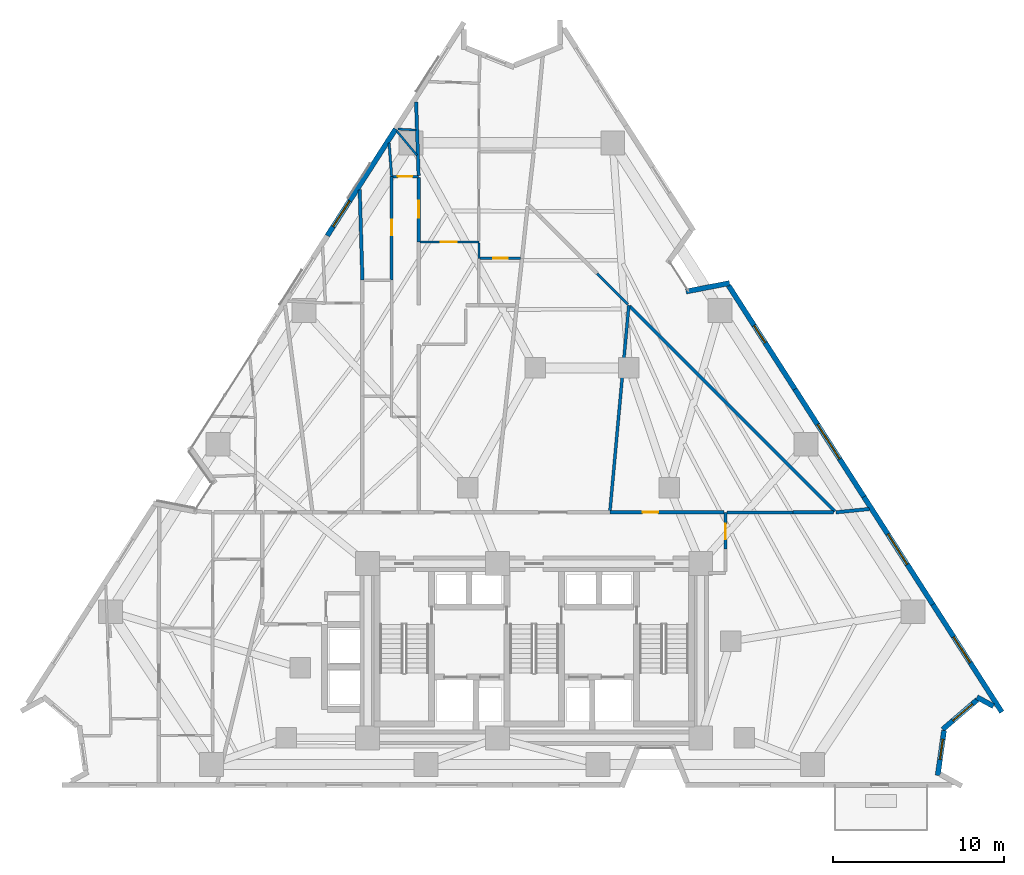
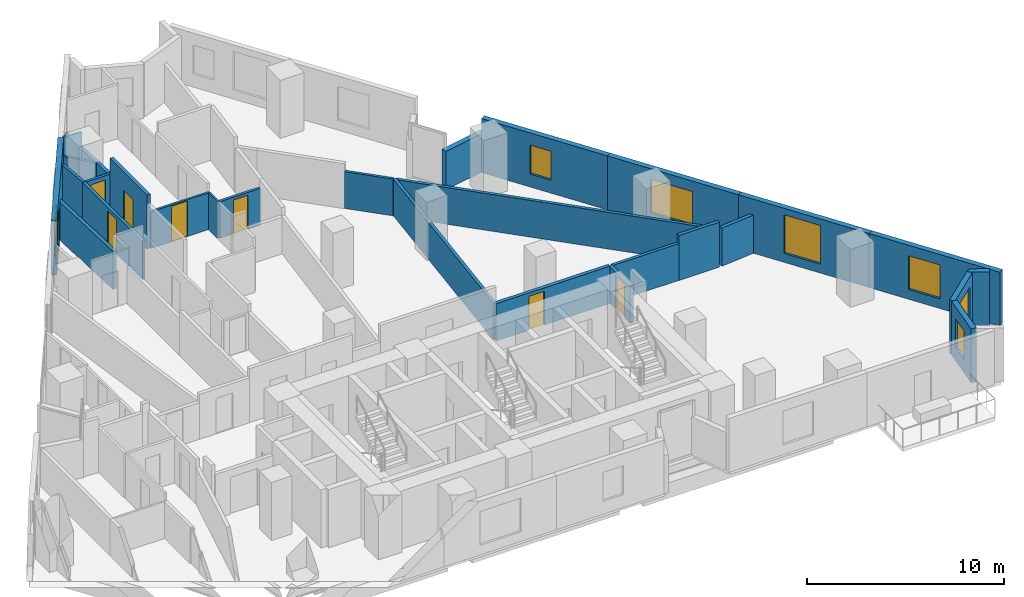
# One storey, part 9 of 13: 28 walls, 7 doors, 7 windows, 14 openings.
"""IFC4 building model written with IfcOpenShell, lengths in metres."""

from ifc_helpers import new_model, si_unit, direction, frame, frame_2d, origin, place, context, subcontext, project, spatial, rectangle, extrude, material, layer, layer_set, type_object, element, fill, save


model = new_model("IFC4")

# Units and contexts
model_context = context("Model", 3, precision=1e-05, world=origin(), true_north=direction((0.0, 1.0)))
body_context = subcontext(model_context, "Body", "Model", "MODEL_VIEW")
ifc_project = project(units=[si_unit("LENGTHUNIT", "METRE"), si_unit("AREAUNIT", "SQUARE_METRE"), si_unit("VOLUMEUNIT", "CUBIC_METRE"), si_unit("PLANEANGLEUNIT", "RADIAN"), si_unit("MASSUNIT", "GRAM", prefix="KILO")], contexts=[model_context])

# Site, building, storey
site_placement = place(None, origin())
site = spatial("IfcSite", under=ifc_project, at=site_placement, CompositionType="ELEMENT")
building_placement = place(site_placement, origin())
building = spatial("IfcBuilding", under=site, at=building_placement, Name="Almagre Mirador Tower", CompositionType="ELEMENT")
storey_placement = place(building_placement, frame((0.0, 0.0, 42.60009765625)))
storey = spatial("IfcBuildingStorey", under=building, at=storey_placement, Name="L09", CompositionType="ELEMENT", Elevation=42.60009765625)

# Wall, opening, window
ifc_material_1 = material(Name="Precast concrete C50/60", Category="concrete")
ifc_layer_1 = layer(ifc_material_1, 0.300048828125)
ifc_layer_set_1 = layer_set([ifc_layer_1], Name="Precast concrete C50/60")
wall_type_1 = type_object("IfcWallType", Name="WAL-EXT-300", PredefinedType="SOLIDWALL", material=ifc_layer_set_1)
wall_1_placement = place(storey_placement, frame((25.196533203125, 33.94140625, 0.0), z_axis=(0.0, 0.0, 1.0), x_axis=(0.539535005594, 0.841963168873, 0.0)))
wall_1 = element("IfcWall", 1, at=wall_1_placement, inside=storey, type_object=wall_type_1, Name="L09 expressed almagre precast frame wall 04", PredefinedType="SOLIDWALL", context=body_context, shape_type="SweptSolid", body=[
    extrude(rectangle(XDim=7.41162109375, YDim=0.300048828125, at=frame_2d((3.705810546875, 0.0))), origin(), (0.0, 0.0, 1.0), 3.349853515625),
])
opening_1_placement = place(wall_1_placement, frame((0.625, 0.0, 0.60009765625)))
opening_1 = element("IfcOpeningElement", 2, at=opening_1_placement, cuts=wall_1, Name="Opening WN-01", PredefinedType="OPENING", context=body_context, shape_type="SweptSolid", body=[
    extrude(rectangle(XDim=1.800048828125, YDim=2.10009765625, at=frame_2d((0.89990234375, 1.050048828125))), frame((0.0, 0.159902, 0.0), z_axis=(0.0, -1.0, 0.0), x_axis=(1.0, 0.0, 0.0)), (0.0, 0.0, 1.0), 0.320049),
])
ifc_material_2 = material(Name="Dark solar-control laminated hurricane glass", Category="glass")
window_type_1 = type_object("IfcWindowType", Name="WIN-1800X2100", PartitioningType="DOUBLE_PANEL_VERTICAL", PredefinedType="WINDOW", material=ifc_material_2)
window_1_placement = place(opening_1_placement, origin())
window_1 = element("IfcWindow", 3, at=window_1_placement, inside=storey, type_object=window_type_1, Name="L09 recessed hurricane window L09-UH-KT", OverallHeight=2.10009765625, OverallWidth=1.800048828125, PartitioningType="SINGLE_PANEL", PredefinedType="WINDOW", context=body_context, shape_type="SweptSolid", body=[
    extrude(rectangle(XDim=1.800048828125, YDim=2.10009765625, at=frame_2d((0.89990234375, 1.050048828125))), frame((0.0, 0.030029296875, 0.0), z_axis=(0.0, -1.0, 0.0), x_axis=(1.0, 0.0, 0.0)), (0.0, 0.0, 1.0), 0.06005859375),
])
fill(opening_1, window_1)

# Wall
wall_2_placement = place(storey_placement, frame((46.189697265625, 30.67236328125, 0.0), z_axis=(0.0, 0.0, 1.0), x_axis=(0.981760587394, 0.190121406053, 0.0)))
element("IfcWall", 4, at=wall_2_placement, inside=storey, type_object=wall_type_1, Name="L09 expressed almagre precast frame wall 13", PredefinedType="SOLIDWALL", context=body_context, shape_type="SweptSolid", body=[
    extrude(rectangle(XDim=2.593994140625, YDim=0.300048828125, at=frame_2d((1.296875, 0.0))), origin(), (0.0, 0.0, 1.0), 2.375),
])

# Wall, opening, window
wall_3_placement = place(storey_placement, frame((48.674560546875, 31.02099609375, 0.0), z_axis=(0.0, 0.0, 1.0), x_axis=(0.539549048356, -0.841954170023, 0.0)))
wall_3 = element("IfcWall", 5, at=wall_3_placement, inside=storey, type_object=wall_type_1, Name="L09 expressed almagre precast frame wall 14", PredefinedType="SOLIDWALL", context=body_context, shape_type="SweptSolid", body=[
    extrude(rectangle(XDim=7.201416015625, YDim=0.300048828125, at=frame_2d((3.6005859375, 0.0))), origin(), (0.0, 0.0, 1.0), 3.349853515625),
])
opening_2_placement = place(wall_3_placement, frame((2.77001953125, 0.0, 0.800048828125)))
opening_2 = element("IfcOpeningElement", 6, at=opening_2_placement, cuts=wall_3, Name="Opening WN-04", PredefinedType="OPENING", context=body_context, shape_type="SweptSolid", body=[
    extrude(rectangle(XDim=1.199951171875, YDim=1.800048828125, at=frame_2d((0.60009765625, 0.89990234375))), frame((0.0, 0.159902, 0.0), z_axis=(0.0, -1.0, 0.0), x_axis=(1.0, 0.0, 0.0)), (0.0, 0.0, 1.0), 0.320049),
])
ifc_material_3 = material(Name="Dark solar-control laminated hurricane glass", Category="glass")
window_type_2 = type_object("IfcWindowType", Name="WIN-1200X1800", PartitioningType="SINGLE_PANEL", PredefinedType="WINDOW", material=ifc_material_3)
window_2_placement = place(opening_2_placement, origin())
window_2 = element("IfcWindow", 7, at=window_2_placement, inside=storey, type_object=window_type_2, Name="L09 recessed hurricane window L09-RST-M", OverallHeight=1.800048828125, OverallWidth=1.199951171875, PartitioningType="SINGLE_PANEL", PredefinedType="WINDOW", context=body_context, shape_type="SweptSolid", body=[
    extrude(rectangle(XDim=1.199951171875, YDim=1.800048828125, at=frame_2d((0.60009765625, 0.89990234375))), frame((0.0, 0.030029296875, 0.0), z_axis=(0.0, -1.0, 0.0), x_axis=(1.0, 0.0, 0.0)), (0.0, 0.0, 1.0), 0.06005859375),
])
fill(opening_2, window_2)

wall_4_placement = place(storey_placement, frame((52.56005859375, 24.957763671875, 0.0), z_axis=(0.0, 0.0, 1.0), x_axis=(0.539510136354, -0.841979104712, 0.0)))
wall_4 = element("IfcWall", 8, at=wall_4_placement, inside=storey, type_object=wall_type_1, Name="L09 expressed almagre precast frame wall 15", PredefinedType="SOLIDWALL", context=body_context, shape_type="SweptSolid", body=[
    extrude(rectangle(XDim=7.4814453125, YDim=0.300048828125, at=frame_2d((3.74072265625, 0.0))), origin(), (0.0, 0.0, 1.0), 3.349853515625),
])
opening_3_placement = place(wall_4_placement, frame((2.449951171875, 0.0, 0.60009765625)))
opening_3 = element("IfcOpeningElement", 9, at=opening_3_placement, cuts=wall_4, Name="Opening WN-02", PredefinedType="OPENING", context=body_context, shape_type="SweptSolid", body=[
    extrude(rectangle(XDim=2.39990234375, YDim=2.10009765625, at=frame_2d((1.199951171875, 1.050048828125))), frame((0.0, 0.159902, 0.0), z_axis=(0.0, -1.0, 0.0), x_axis=(1.0, 0.0, 0.0)), (0.0, 0.0, 1.0), 0.320049),
])
ifc_material_4 = material(Name="Dark solar-control laminated hurricane glass", Category="glass")
window_type_3 = type_object("IfcWindowType", Name="WIN-2400X2100", PartitioningType="TRIPLE_PANEL_VERTICAL", PredefinedType="WINDOW", material=ifc_material_4)
window_3_placement = place(opening_3_placement, origin())
window_3 = element("IfcWindow", 10, at=window_3_placement, inside=storey, type_object=window_type_3, Name="L09 recessed hurricane window L09-RST-M", OverallHeight=2.10009765625, OverallWidth=2.39990234375, PartitioningType="SINGLE_PANEL", PredefinedType="WINDOW", context=body_context, shape_type="SweptSolid", body=[
    extrude(rectangle(XDim=2.39990234375, YDim=2.10009765625, at=frame_2d((1.199951171875, 1.050048828125))), frame((0.0, 0.030029296875, 0.0), z_axis=(0.0, -1.0, 0.0), x_axis=(1.0, 0.0, 0.0)), (0.0, 0.0, 1.0), 0.06005859375),
])
fill(opening_3, window_3)

wall_5_placement = place(storey_placement, frame((56.596435546875, 18.658447265625, 0.0), z_axis=(0.0, 0.0, 1.0), x_axis=(0.539548093607, -0.841954781853, 0.0)))
wall_5 = element("IfcWall", 11, at=wall_5_placement, inside=storey, type_object=wall_type_1, Name="L09 expressed almagre precast frame wall 16", PredefinedType="SOLIDWALL", context=body_context, shape_type="SweptSolid", body=[
    extrude(rectangle(XDim=7.4814453125, YDim=0.300048828125, at=frame_2d((3.74072265625, 0.0))), origin(), (0.0, 0.0, 1.0), 3.349853515625),
])
opening_4_placement = place(wall_5_placement, frame((2.60009765625, 0.0, 0.550048828125)))
opening_4 = element("IfcOpeningElement", 12, at=opening_4_placement, cuts=wall_5, Name="Opening WN-05", PredefinedType="OPENING", context=body_context, shape_type="SweptSolid", body=[
    extrude(rectangle(XDim=2.10009765625, YDim=2.39990234375, at=frame_2d((1.050048828125, 1.199951171875))), frame((0.0, 0.159902, 0.0), z_axis=(0.0, -1.0, 0.0), x_axis=(1.0, 0.0, 0.0)), (0.0, 0.0, 1.0), 0.320049),
])
ifc_material_5 = material(Name="Dark solar-control laminated hurricane glass", Category="glass")
window_type_4 = type_object("IfcWindowType", Name="WIN-2100X2400", PartitioningType="DOUBLE_PANEL_VERTICAL", PredefinedType="WINDOW", material=ifc_material_5)
window_4_placement = place(opening_4_placement, origin())
window_4 = element("IfcWindow", 13, at=window_4_placement, inside=storey, type_object=window_type_4, Name="L09 recessed hurricane window L09-UF-KT", OverallHeight=2.39990234375, OverallWidth=2.10009765625, PartitioningType="SINGLE_PANEL", PredefinedType="WINDOW", context=body_context, shape_type="SweptSolid", body=[
    extrude(rectangle(XDim=2.10009765625, YDim=2.39990234375, at=frame_2d((1.050048828125, 1.199951171875))), frame((0.0, 0.030029296875, 0.0), z_axis=(0.0, -1.0, 0.0), x_axis=(1.0, 0.0, 0.0)), (0.0, 0.0, 1.0), 0.06005859375),
])
fill(opening_4, window_4)

wall_6_placement = place(storey_placement, frame((60.633056640625, 12.359375, 0.0), z_axis=(0.0, 0.0, 1.0), x_axis=(0.539510136354, -0.841979104712, 0.0)))
wall_6 = element("IfcWall", 14, at=wall_6_placement, inside=storey, type_object=wall_type_1, Name="L09 expressed almagre precast frame wall 17", PredefinedType="SOLIDWALL", context=body_context, shape_type="SweptSolid", body=[
    extrude(rectangle(XDim=7.4814453125, YDim=0.300048828125, at=frame_2d((3.74072265625, 0.0))), origin(), (0.0, 0.0, 1.0), 3.349853515625),
])
opening_5_placement = place(wall_6_placement, frame((2.25, 0.0, 0.60009765625)))
opening_5 = element("IfcOpeningElement", 15, at=opening_5_placement, cuts=wall_6, Name="Opening WN-01", PredefinedType="OPENING", context=body_context, shape_type="SweptSolid", body=[
    extrude(rectangle(XDim=1.800048828125, YDim=2.10009765625, at=frame_2d((0.89990234375, 1.050048828125))), frame((0.0, 0.159902, 0.0), z_axis=(0.0, -1.0, 0.0), x_axis=(1.0, 0.0, 0.0)), (0.0, 0.0, 1.0), 0.320049),
])
window_5_placement = place(opening_5_placement, origin())
window_5 = element("IfcWindow", 16, at=window_5_placement, inside=storey, type_object=window_type_1, Name="L09 recessed hurricane window L09-UF-ST", OverallHeight=2.10009765625, OverallWidth=1.800048828125, PartitioningType="SINGLE_PANEL", PredefinedType="WINDOW", context=body_context, shape_type="SweptSolid", body=[
    extrude(rectangle(XDim=1.800048828125, YDim=2.10009765625, at=frame_2d((0.89990234375, 1.050048828125))), frame((0.0, 0.030029296875, 0.0), z_axis=(0.0, -1.0, 0.0), x_axis=(1.0, 0.0, 0.0)), (0.0, 0.0, 1.0), 0.06005859375),
])
fill(opening_5, window_5)

# Wall
wall_7_placement = place(storey_placement, frame((64.17724609375, 6.406005859375, 0.0), z_axis=(0.0, 0.0, 1.0), x_axis=(-0.877235899632, 0.480059555052, 0.0)))
element("IfcWall", 17, at=wall_7_placement, inside=storey, type_object=wall_type_1, Name="L09 expressed almagre precast frame wall 18", PredefinedType="SOLIDWALL", context=body_context, shape_type="SweptSolid", body=[
    extrude(rectangle(XDim=1.1044921875, YDim=0.300048828125, at=frame_2d((0.55224609375, 0.0))), origin(), (0.0, 0.0, 1.0), 3.349853515625),
])

# Wall, opening, window
wall_8_placement = place(storey_placement, frame((63.224853515625, 6.77783203125, 0.0), z_axis=(0.0, 0.0, 1.0), x_axis=(-0.758681082232, -0.651462213381, 0.0)))
wall_8 = element("IfcWall", 18, at=wall_8_placement, inside=storey, type_object=wall_type_1, Name="L09 expressed almagre precast frame wall 19", PredefinedType="SOLIDWALL", context=body_context, shape_type="SweptSolid", body=[
    extrude(rectangle(XDim=2.66650390625, YDim=0.300048828125, at=frame_2d((1.333251953125, 0.0))), origin(), (0.0, 0.0, 1.0), 3.349853515625),
])
opening_6_placement = place(wall_8_placement, frame((0.3701171875, 0.0, 0.60009765625)))
opening_6 = element("IfcOpeningElement", 19, at=opening_6_placement, cuts=wall_8, Name="Opening WN-03", PredefinedType="OPENING", context=body_context, shape_type="SweptSolid", body=[
    extrude(rectangle(XDim=1.5, YDim=2.10009765625, at=frame_2d((0.75, 1.050048828125))), frame((0.0, 0.159902, 0.0), z_axis=(0.0, -1.0, 0.0), x_axis=(1.0, 0.0, 0.0)), (0.0, 0.0, 1.0), 0.320049),
])
ifc_material_6 = material(Name="Dark solar-control laminated hurricane glass", Category="glass")
window_type_5 = type_object("IfcWindowType", Name="WIN-1500X2100", PartitioningType="DOUBLE_PANEL_VERTICAL", PredefinedType="WINDOW", material=ifc_material_6)
window_6_placement = place(opening_6_placement, origin())
window_6 = element("IfcWindow", 20, at=window_6_placement, inside=storey, type_object=window_type_5, Name="L09 recessed hurricane window L09-UF-ST", OverallHeight=2.10009765625, OverallWidth=1.5, PartitioningType="SINGLE_PANEL", PredefinedType="WINDOW", context=body_context, shape_type="SweptSolid", body=[
    extrude(rectangle(XDim=1.5, YDim=2.10009765625, at=frame_2d((0.75, 1.050048828125))), frame((0.0, 0.030029296875, 0.0), z_axis=(0.0, -1.0, 0.0), x_axis=(1.0, 0.0, 0.0)), (0.0, 0.0, 1.0), 0.06005859375),
])
fill(opening_6, window_6)

wall_9_placement = place(storey_placement, frame((61.287109375, 4.9833984375, 0.0), z_axis=(0.0, 0.0, 1.0), x_axis=(-0.139118263158, -0.990275774144, 0.0)))
wall_9 = element("IfcWall", 21, at=wall_9_placement, inside=storey, type_object=wall_type_1, Name="L09 expressed almagre precast frame wall 20", PredefinedType="SOLIDWALL", context=body_context, shape_type="SweptSolid", body=[
    extrude(rectangle(XDim=2.656982421875, YDim=0.300048828125, at=frame_2d((1.32861328125, 0.0))), origin(), (0.0, 0.0, 1.0), 3.349853515625),
])
opening_7_placement = place(wall_9_placement, frame((0.510009765625, 0.0, 0.800048828125)))
opening_7 = element("IfcOpeningElement", 22, at=opening_7_placement, cuts=wall_9, Name="Opening WN-04", PredefinedType="OPENING", context=body_context, shape_type="SweptSolid", body=[
    extrude(rectangle(XDim=1.199951171875, YDim=1.800048828125, at=frame_2d((0.60009765625, 0.89990234375))), frame((0.0, 0.159902, 0.0), z_axis=(0.0, -1.0, 0.0), x_axis=(1.0, 0.0, 0.0)), (0.0, 0.0, 1.0), 0.320049),
])
window_7_placement = place(opening_7_placement, origin())
window_7 = element("IfcWindow", 23, at=window_7_placement, inside=storey, type_object=window_type_2, Name="L09 recessed hurricane window L09-UF-ST", OverallHeight=1.800048828125, OverallWidth=1.199951171875, PartitioningType="SINGLE_PANEL", PredefinedType="WINDOW", context=body_context, shape_type="SweptSolid", body=[
    extrude(rectangle(XDim=1.199951171875, YDim=1.800048828125, at=frame_2d((0.60009765625, 0.89990234375))), frame((0.0, 0.030029296875, 0.0), z_axis=(0.0, -1.0, 0.0), x_axis=(1.0, 0.0, 0.0)), (0.0, 0.0, 1.0), 0.06005859375),
])
fill(opening_7, window_7)

# Wall, opening, door
ifc_material_7 = material(Name="Gypsum acoustic stud partition", Category="other")
ifc_layer_2 = layer(ifc_material_7, 0.125)
ifc_layer_set_2 = layer_set([ifc_layer_2], Name="Gypsum acoustic stud partition")
wall_type_2 = type_object("IfcWallType", Name="WAL-PRT-125-UTL", PredefinedType="PARTITIONING", material=ifc_layer_set_2)
wall_10_placement = place(storey_placement, frame((30.625, 33.570068359375, 0.0), z_axis=(0.0, 0.0, 1.0), x_axis=(1.0, 0.0, 0.0)))
wall_10 = element("IfcWall", 24, at=wall_10_placement, inside=storey, type_object=wall_type_2, Name="L09 interior partition 093", PredefinedType="PARTITIONING", context=body_context, shape_type="SweptSolid", body=[
    extrude(rectangle(XDim=3.445068359375, YDim=0.125, at=frame_2d((1.72265625, 0.0))), origin(), (0.0, 0.0, 1.0), 2.27880859375),
])
opening_8_placement = place(wall_10_placement, frame((1.205078125, 0.0, 0.0)))
opening_8 = element("IfcOpeningElement", 25, at=opening_8_placement, cuts=wall_10, Name="Opening UD-01", PredefinedType="OPENING", context=body_context, shape_type="SweptSolid", body=[
    extrude(rectangle(XDim=0.949951171875, YDim=2.199951171875, at=frame_2d((0.47509765625, 1.10009765625))), frame((0.0, 0.0725, 0.0), z_axis=(0.0, -1.0, 0.0), x_axis=(1.0, 0.0, 0.0)), (0.0, 0.0, 1.0), 0.145),
])
ifc_material_8 = material(Name="Solid American walnut timber", Category="wood")
door_type_1 = type_object("IfcDoorType", Name="DOR-UNR-950X2200", OperationType="NOTDEFINED", PredefinedType="DOOR", material=ifc_material_8)
door_1_placement = place(opening_8_placement, origin())
door_1 = element("IfcDoor", 26, at=door_1_placement, inside=storey, type_object=door_type_1, Name="DR-0299 L09 interior door L09-UP-LV to L09-UP-KT", OperationType="SINGLE_SWING_LEFT", OverallHeight=2.199951171875, OverallWidth=0.949951171875, PredefinedType="DOOR", context=body_context, shape_type="SweptSolid", body=[
    extrude(rectangle(XDim=0.949951171875, YDim=2.199951171875, at=frame_2d((0.47509765625, 1.10009765625))), frame((0.0, 0.02490234375, 0.0), z_axis=(0.0, -1.0, 0.0), x_axis=(1.0, 0.0, 0.0)), (0.0, 0.0, 1.0), 0.050048828125),
])
fill(opening_8, door_1)

# Walls
wall_11_placement = place(storey_placement, frame((34.070068359375, 32.610107421875, 0.0), z_axis=(0.0, 0.0, 1.0), x_axis=(0.0, 1.0, 0.0)))
element("IfcWall", 27, at=wall_11_placement, inside=storey, type_object=wall_type_2, Name="L09 interior partition 097", PredefinedType="PARTITIONING", context=body_context, shape_type="SweptSolid", body=[
    extrude(rectangle(XDim=0.912353515625, YDim=0.125, at=frame_2d((0.4560546875, 0.0))), origin(), (0.0, 0.0, 1.0), 2.27880859375),
])
wall_12_placement = place(storey_placement, frame((30.383544921875, 40.1201171875, 0.0), z_axis=(0.0, 0.0, 1.0), x_axis=(-0.998358205937, 0.057279076792, 0.0)))
element("IfcWall", 28, at=wall_12_placement, inside=storey, type_object=wall_type_2, Name="L09 interior partition 122", PredefinedType="PARTITIONING", context=body_context, shape_type="SweptSolid", body=[
    extrude(rectangle(XDim=1.061279296875, YDim=0.125, at=frame_2d((0.53076171875, 0.0))), origin(), (0.0, 0.0, 1.0), 3.349853515625),
])
wall_13_placement = place(storey_placement, frame((29.25390625, 40.071044921875, 0.0), z_axis=(0.0, 0.0, 1.0), x_axis=(0.639548106723, -0.76875107752, 0.0)))
element("IfcWall", 29, at=wall_13_placement, inside=storey, type_object=wall_type_2, Name="L09 interior partition 123", PredefinedType="PARTITIONING", context=body_context, shape_type="SweptSolid", body=[
    extrude(rectangle(XDim=1.849853515625, YDim=0.125, at=frame_2d((0.9248046875, 0.0))), origin(), (0.0, 0.0, 1.0), 2.27880859375),
])
ifc_material_9 = material(Name="Gypsum acoustic stud partition", Category="other")
ifc_layer_3 = layer(ifc_material_9, 0.14990234375)
ifc_layer_set_3 = layer_set([ifc_layer_3], Name="Gypsum acoustic stud partition")
wall_type_3 = type_object("IfcWallType", Name="WAL-PRT-150-STD", PredefinedType="PARTITIONING", material=ifc_layer_set_3)
wall_14_placement = place(storey_placement, frame((42.788818359375, 29.92138671875, 0.0), z_axis=(0.0, 0.0, 1.0), x_axis=(-0.707154767802, 0.707058791314, 0.0)))
element("IfcWall", 30, at=wall_14_placement, inside=storey, type_object=wall_type_3, Name="L09 interior partition 073", PredefinedType="PARTITIONING", context=body_context, shape_type="SweptSolid", body=[
    extrude(rectangle(XDim=2.543701171875, YDim=0.14990234375, at=frame_2d((1.27197265625, 0.0))), origin(), (0.0, 0.0, 1.0), 2.27880859375),
])

# Wall, opening, door
wall_15_placement = place(storey_placement, frame((30.5400390625, 37.39990234375, 0.0), z_axis=(0.0, 0.0, 1.0), x_axis=(-1.0, 0.0, 0.0)))
wall_15 = element("IfcWall", 31, at=wall_15_placement, inside=storey, type_object=wall_type_3, Name="L09 interior partition 085", PredefinedType="PARTITIONING", context=body_context, shape_type="SweptSolid", body=[
    extrude(rectangle(XDim=1.507568359375, YDim=0.14990234375, at=frame_2d((0.75390625, 0.0))), origin(), (0.0, 0.0, 1.0), 2.369873046875),
])
opening_9_placement = place(wall_15_placement, frame((0.364990234375, 0.0, 0.0)))
opening_9 = element("IfcOpeningElement", 32, at=opening_9_placement, cuts=wall_15, Name="Opening UD-04", PredefinedType="OPENING", context=body_context, shape_type="SweptSolid", body=[
    extrude(rectangle(XDim=0.85009765625, YDim=2.10009765625, at=frame_2d((0.425048828125, 1.050048828125))), frame((0.0, 0.084951, 0.0), z_axis=(0.0, -1.0, 0.0), x_axis=(1.0, 0.0, 0.0)), (0.0, 0.0, 1.0), 0.169902),
])
ifc_material_10 = material(Name="Moisture-resistant oak timber", Category="wood")
door_type_2 = type_object("IfcDoorType", Name="DOR-UNR-850X2100", OperationType="NOTDEFINED", PredefinedType="DOOR", material=ifc_material_10)
door_2_placement = place(opening_9_placement, origin())
door_2 = element("IfcDoor", 33, at=door_2_placement, inside=storey, type_object=door_type_2, Name="DR-0298 L09 interior door L09-UN-LV to L09-UN-EN", OperationType="SINGLE_SWING_RIGHT", OverallHeight=2.10009765625, OverallWidth=0.85009765625, PredefinedType="DOOR", context=body_context, shape_type="SweptSolid", body=[
    extrude(rectangle(XDim=0.85009765625, YDim=2.10009765625, at=frame_2d((0.425048828125, 1.050048828125))), frame((0.0, 0.02490234375, 0.0), z_axis=(0.0, -1.0, 0.0), x_axis=(1.0, 0.0, 0.0)), (0.0, 0.0, 1.0), 0.050048828125),
])
fill(opening_9, door_2)

# Wall
wall_16_placement = place(storey_placement, frame((28.9599609375, 37.39990234375, 0.0), z_axis=(0.0, 0.0, 1.0), x_axis=(-0.076174693918, 0.997094487, 0.0)))
element("IfcWall", 34, at=wall_16_placement, inside=storey, type_object=wall_type_3, Name="L09 interior partition 090", PredefinedType="PARTITIONING", context=body_context, shape_type="SweptSolid", body=[
    extrude(rectangle(XDim=1.9677734375, YDim=0.14990234375, at=frame_2d((0.98388671875, 0.0))), origin(), (0.0, 0.0, 1.0), 2.369873046875),
])

# Wall, opening, door
wall_17_placement = place(storey_placement, frame((34.117431640625, 32.610107421875, 0.0), z_axis=(0.0, 0.0, 1.0), x_axis=(1.0, 0.0, 0.0)))
wall_17 = element("IfcWall", 35, at=wall_17_placement, inside=storey, type_object=wall_type_3, Name="L09 interior partition 100", PredefinedType="PARTITIONING", context=body_context, shape_type="SweptSolid", body=[
    extrude(rectangle(XDim=2.387451171875, YDim=0.14990234375, at=frame_2d((1.19384765625, 0.0))), origin(), (0.0, 0.0, 1.0), 2.27880859375),
])
opening_10_placement = place(wall_17_placement, frame((0.78759765625, 0.0, 0.0)))
opening_10 = element("IfcOpeningElement", 36, at=opening_10_placement, cuts=wall_17, Name="Opening UD-04", PredefinedType="OPENING", context=body_context, shape_type="SweptSolid", body=[
    extrude(rectangle(XDim=0.85009765625, YDim=2.10009765625, at=frame_2d((0.425048828125, 1.050048828125))), frame((0.0, 0.084951, 0.0), z_axis=(0.0, -1.0, 0.0), x_axis=(1.0, 0.0, 0.0)), (0.0, 0.0, 1.0), 0.169902),
])
door_3_placement = place(opening_10_placement, origin())
door_3 = element("IfcDoor", 37, at=door_3_placement, inside=storey, type_object=door_type_2, Name="DR-0303 L09 interior door L09-UP-MB to L09-UP-EN", OperationType="SINGLE_SWING_LEFT", OverallHeight=2.10009765625, OverallWidth=0.85009765625, PredefinedType="DOOR", context=body_context, shape_type="SweptSolid", body=[
    extrude(rectangle(XDim=0.85009765625, YDim=2.10009765625, at=frame_2d((0.425048828125, 1.050048828125))), frame((0.0, 0.02490234375, 0.0), z_axis=(0.0, -1.0, 0.0), x_axis=(1.0, 0.0, 0.0)), (0.0, 0.0, 1.0), 0.050048828125),
])
fill(opening_10, door_3)

# Walls
ifc_material_11 = material(Name="Gypsum acoustic stud partition", Category="other")
ifc_layer_4 = layer(ifc_material_11, 0.175048828125)
ifc_layer_set_4 = layer_set([ifc_layer_4], Name="Gypsum acoustic stud partition")
wall_type_4 = type_object("IfcWallType", Name="WAL-PRT-175-AC", PredefinedType="PARTITIONING", material=ifc_layer_set_4)
wall_18_placement = place(storey_placement, frame((52.4599609375, 17.75, 0.0), z_axis=(0.0, 0.0, 1.0), x_axis=(-1.0, 0.0, 0.0)))
element("IfcWall", 38, at=wall_18_placement, inside=storey, type_object=wall_type_4, Name="L09 interior partition 039", PredefinedType="PARTITIONING", context=body_context, shape_type="SweptSolid", body=[
    extrude(rectangle(XDim=3.875, YDim=0.175048828125, at=frame_2d((1.9375, 0.0))), origin(), (0.0, 0.0, 1.0), 2.27880859375),
])
wall_19_placement = place(storey_placement, frame((41.73779296875, 17.834716796875, 0.0), z_axis=(0.0, 0.0, 1.0), x_axis=(0.091205990135, 0.995832047769, 0.0)))
element("IfcWall", 39, at=wall_19_placement, inside=storey, type_object=wall_type_4, Name="L09 interior partition 072", PredefinedType="PARTITIONING", context=body_context, shape_type="SweptSolid", body=[
    extrude(rectangle(XDim=12.085693359375, YDim=0.175048828125, at=frame_2d((6.04296875, 0.0))), origin(), (0.0, 0.0, 1.0), 2.27880859375),
])
wall_20_placement = place(storey_placement, frame((54.89990234375, 17.81005859375, 0.0), z_axis=(0.0, 0.0, 1.0), x_axis=(-0.707106781187, 0.707106781187, 0.0)))
element("IfcWall", 40, at=wall_20_placement, inside=storey, type_object=wall_type_4, Name="L09 interior partition 078", PredefinedType="PARTITIONING", context=body_context, shape_type="SweptSolid", body=[
    extrude(rectangle(XDim=16.982666015625, YDim=0.175048828125, at=frame_2d((8.4912109375, 0.0))), origin(), (0.0, 0.0, 1.0), 2.27880859375),
])

# Wall, opening, door
wall_21_placement = place(storey_placement, frame((28.9599609375, 37.39990234375, 0.0), z_axis=(0.0, 0.0, 1.0), x_axis=(0.0, -1.0, 0.0)))
wall_21 = element("IfcWall", 41, at=wall_21_placement, inside=storey, type_object=wall_type_4, Name="L09 interior partition 084", PredefinedType="PARTITIONING", context=body_context, shape_type="SweptSolid", body=[
    extrude(rectangle(XDim=6.059814453125, YDim=0.175048828125, at=frame_2d((3.02978515625, 0.0))), origin(), (0.0, 0.0, 1.0), 2.369873046875),
])
opening_11_placement = place(wall_21_placement, frame((2.5205078125, 0.0, 0.0)))
opening_11 = element("IfcOpeningElement", 42, at=opening_11_placement, cuts=wall_21, Name="Opening UD-02", PredefinedType="OPENING", context=body_context, shape_type="SweptSolid", body=[
    extrude(rectangle(XDim=0.89990234375, YDim=2.14990234375, at=frame_2d((0.449951171875, 1.074951171875))), frame((0.0, 0.097402, 0.0), z_axis=(0.0, -1.0, 0.0), x_axis=(1.0, 0.0, 0.0)), (0.0, 0.0, 1.0), 0.195049),
])
ifc_material_12 = material(Name="Solid American walnut timber", Category="wood")
door_type_3 = type_object("IfcDoorType", Name="DOR-UNR-900X2150", OperationType="NOTDEFINED", PredefinedType="DOOR", material=ifc_material_12)
door_4_placement = place(opening_11_placement, origin())
door_4 = element("IfcDoor", 43, at=door_4_placement, inside=storey, type_object=door_type_3, Name="DR-0297 L09 interior door L09-UN-LV to L09-UN-MB", OperationType="SINGLE_SWING_LEFT", OverallHeight=2.14990234375, OverallWidth=0.89990234375, PredefinedType="DOOR", context=body_context, shape_type="SweptSolid", body=[
    extrude(rectangle(XDim=0.89990234375, YDim=2.14990234375, at=frame_2d((0.449951171875, 1.074951171875))), frame((0.0, 0.02490234375, 0.0), z_axis=(0.0, -1.0, 0.0), x_axis=(1.0, 0.0, 0.0)), (0.0, 0.0, 1.0), 0.050048828125),
])
fill(opening_11, door_4)

ifc_material_13 = material(Name="Gypsum acoustic stud partition", Category="other")
ifc_layer_5 = layer(ifc_material_13, 0.199951171875)
ifc_layer_set_5 = layer_set([ifc_layer_5], Name="Gypsum acoustic stud partition")
wall_type_5 = type_object("IfcWallType", Name="WAL-PRT-200-EI60", PredefinedType="PARTITIONING", material=ifc_layer_set_5)
wall_22_placement = place(storey_placement, frame((48.5, 15.60009765625, 0.0), z_axis=(0.0, 0.0, 1.0), x_axis=(0.0, 1.0, 0.0)))
wall_22 = element("IfcWall", 44, at=wall_22_placement, inside=storey, type_object=wall_type_5, Name="L09 interior partition 007", PredefinedType="PARTITIONING", context=body_context, shape_type="SweptSolid", body=[
    extrude(rectangle(XDim=2.14990234375, YDim=0.199951171875, at=frame_2d((1.074951171875, 0.0))), origin(), (0.0, 0.0, 1.0), 2.27880859375),
])
opening_12_placement = place(wall_22_placement, frame((0.571044921875, 0.0, 0.0)))
opening_12 = element("IfcOpeningElement", 45, at=opening_12_placement, cuts=wall_22, Name="Opening ID-03", PredefinedType="OPENING", context=body_context, shape_type="SweptSolid", body=[
    extrude(rectangle(XDim=0.89990234375, YDim=2.10009765625, at=frame_2d((0.449951171875, 1.050048828125))), frame((0.0, 0.110098, 0.0), z_axis=(0.0, -1.0, 0.0), x_axis=(1.0, 0.0, 0.0)), (0.0, 0.0, 1.0), 0.219951),
])
ifc_material_14 = material(Name="Fire-rated hollow steel", Category="steel")
door_type_4 = type_object("IfcDoorType", Name="DOR-FD60-900X2100", OperationType="NOTDEFINED", PredefinedType="DOOR", material=ifc_material_14)
door_5_placement = place(opening_12_placement, origin())
door_5 = element("IfcDoor", 46, at=door_5_placement, inside=storey, type_object=door_type_4, Name="DR-0279 L09 interior door L09-RCOR to L09-UE-ST", OperationType="SINGLE_SWING_LEFT", OverallHeight=2.10009765625, OverallWidth=0.89990234375, PredefinedType="DOOR", context=body_context, shape_type="SweptSolid", body=[
    extrude(rectangle(XDim=0.89990234375, YDim=2.10009765625, at=frame_2d((0.449951171875, 1.050048828125))), frame((0.0, 0.02490234375, 0.0), z_axis=(0.0, -1.0, 0.0), x_axis=(1.0, 0.0, 0.0)), (0.0, 0.0, 1.0), 0.050048828125),
])
fill(opening_12, door_5)

wall_23_placement = place(storey_placement, frame((48.4150390625, 17.75, 0.0), z_axis=(0.0, 0.0, 1.0), x_axis=(-1.0, 0.0, 0.0)))
wall_23 = element("IfcWall", 47, at=wall_23_placement, inside=storey, type_object=wall_type_5, Name="L09 interior partition 013", PredefinedType="PARTITIONING", context=body_context, shape_type="SweptSolid", body=[
    extrude(rectangle(XDim=6.68505859375, YDim=0.199951171875, at=frame_2d((3.342529296875, 0.0))), origin(), (0.0, 0.0, 1.0), 2.308837890625),
])
opening_13_placement = place(wall_23_placement, frame((3.861083984375, 0.0, 0.0)))
opening_13 = element("IfcOpeningElement", 48, at=opening_13_placement, cuts=wall_23, Name="Opening ID-03", PredefinedType="OPENING", context=body_context, shape_type="SweptSolid", body=[
    extrude(rectangle(XDim=0.89990234375, YDim=2.10009765625, at=frame_2d((0.449951171875, 1.050048828125))), frame((0.0, 0.110098, 0.0), z_axis=(0.0, -1.0, 0.0), x_axis=(1.0, 0.0, 0.0)), (0.0, 0.0, 1.0), 0.219951),
])
door_6_placement = place(opening_13_placement, origin())
door_6 = element("IfcDoor", 49, at=door_6_placement, inside=storey, type_object=door_type_4, Name="DR-0278 L09 interior door L09-RCOR to L09-RST-L", OperationType="SINGLE_SWING_RIGHT", OverallHeight=2.10009765625, OverallWidth=0.89990234375, PredefinedType="DOOR", context=body_context, shape_type="SweptSolid", body=[
    extrude(rectangle(XDim=0.89990234375, YDim=2.10009765625, at=frame_2d((0.449951171875, 1.050048828125))), frame((0.0, 0.02490234375, 0.0), z_axis=(0.0, -1.0, 0.0), x_axis=(1.0, 0.0, 0.0)), (0.0, 0.0, 1.0), 0.050048828125),
])
fill(opening_13, door_6)

# Walls
wall_24_placement = place(storey_placement, frame((54.81494140625, 17.75, 0.0), z_axis=(0.0, 0.0, 1.0), x_axis=(-1.0, 0.0, 0.0)))
element("IfcWall", 50, at=wall_24_placement, inside=storey, type_object=wall_type_5, Name="L09 interior partition 045", PredefinedType="PARTITIONING", context=body_context, shape_type="SweptSolid", body=[
    extrude(rectangle(XDim=2.35498046875, YDim=0.199951171875, at=frame_2d((1.177490234375, 0.0))), origin(), (0.0, 0.0, 1.0), 2.786865234375),
])
wall_25_placement = place(storey_placement, frame((56.9130859375, 17.946044921875, 0.0), z_axis=(0.0, 0.0, 1.0), x_axis=(-0.995000178554, -0.099873142922, 0.0)))
element("IfcWall", 51, at=wall_25_placement, inside=storey, type_object=wall_type_5, Name="L09 interior partition 046", PredefinedType="PARTITIONING", context=body_context, shape_type="SweptSolid", body=[
    extrude(rectangle(XDim=1.962890625, YDim=0.199951171875, at=frame_2d((0.9814453125, 0.0))), origin(), (0.0, 0.0, 1.0), 2.369873046875),
])
wall_26_placement = place(storey_placement, frame((27.25, 31.340087890625, 0.0), z_axis=(0.0, 0.0, 1.0), x_axis=(-0.030227650921, 0.999543040154, 0.0)))
element("IfcWall", 52, at=wall_26_placement, inside=storey, type_object=wall_type_5, Name="L09 interior partition 062", PredefinedType="PARTITIONING", context=body_context, shape_type="SweptSolid", body=[
    extrude(rectangle(XDim=5.290283203125, YDim=0.199951171875, at=frame_2d((2.64501953125, 0.0))), origin(), (0.0, 0.0, 1.0), 2.369873046875),
])

# Wall, opening, door
wall_27_placement = place(storey_placement, frame((30.5400390625, 33.570068359375, 0.0), z_axis=(0.0, 0.0, 1.0), x_axis=(0.0, 1.0, 0.0)))
wall_27 = element("IfcWall", 53, at=wall_27_placement, inside=storey, type_object=wall_type_5, Name="L09 interior partition 086", PredefinedType="PARTITIONING", context=body_context, shape_type="SweptSolid", body=[
    extrude(rectangle(XDim=3.77001953125, YDim=0.199951171875, at=frame_2d((1.885009765625, 0.0))), origin(), (0.0, 0.0, 1.0), 3.349853515625),
])
opening_14_placement = place(wall_27_placement, frame((1.4150390625, 0.0, 0.0)))
opening_14 = element("IfcOpeningElement", 54, at=opening_14_placement, cuts=wall_27, Name="Opening ID-01", PredefinedType="OPENING", context=body_context, shape_type="SweptSolid", body=[
    extrude(rectangle(XDim=1.0, YDim=2.199951171875, at=frame_2d((0.5, 1.10009765625))), frame((0.0, 0.110098, 0.0), z_axis=(0.0, -1.0, 0.0), x_axis=(1.0, 0.0, 0.0)), (0.0, 0.0, 1.0), 0.219951),
])
ifc_material_15 = material(Name="Fire-rated walnut timber", Category="wood")
door_type_5 = type_object("IfcDoorType", Name="DOR-FD60-1000X2200", OperationType="NOTDEFINED", PredefinedType="DOOR", material=ifc_material_15)
door_7_placement = place(opening_14_placement, origin())
door_7 = element("IfcDoor", 55, at=door_7_placement, inside=storey, type_object=door_type_5, Name="DR-0305 L09 interior door L09-UN-LV to L09-UP-LV", OperationType="SINGLE_SWING_LEFT", OverallHeight=2.199951171875, OverallWidth=1.0, PredefinedType="DOOR", context=body_context, shape_type="SweptSolid", body=[
    extrude(rectangle(XDim=1.0, YDim=2.199951171875, at=frame_2d((0.5, 1.10009765625))), frame((0.0, 0.02490234375, 0.0), z_axis=(0.0, -1.0, 0.0), x_axis=(1.0, 0.0, 0.0)), (0.0, 0.0, 1.0), 0.050048828125),
])
fill(opening_14, door_7)

# Wall
wall_28_placement = place(storey_placement, frame((30.538330078125, 37.4599609375, 0.0), z_axis=(0.0, 0.0, 1.0), x_axis=(-0.034231559151, 0.999413928439, 0.0)))
element("IfcWall", 56, at=wall_28_placement, inside=storey, type_object=wall_type_5, Name="L09 interior partition 091", PredefinedType="PARTITIONING", context=body_context, shape_type="SweptSolid", body=[
    extrude(rectangle(XDim=4.300537109375, YDim=0.199951171875, at=frame_2d((2.150390625, 0.0))), origin(), (0.0, 0.0, 1.0), 2.27880859375),
])

save(model, "model.ifc")
